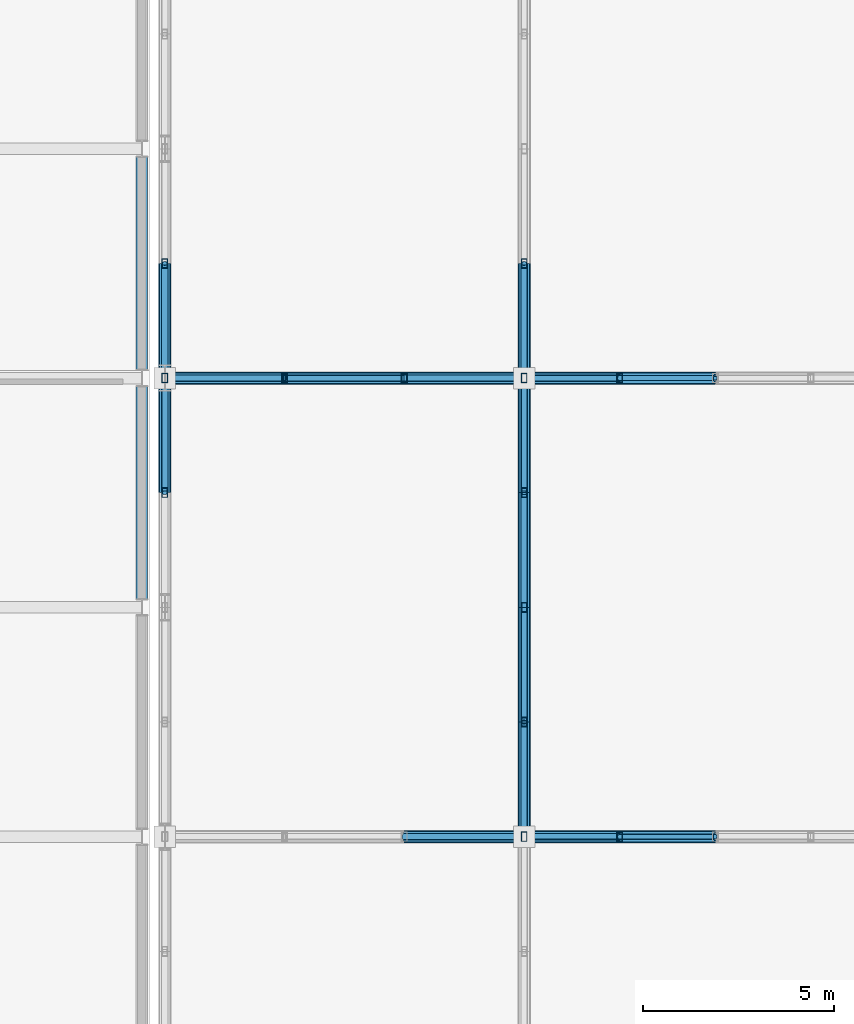
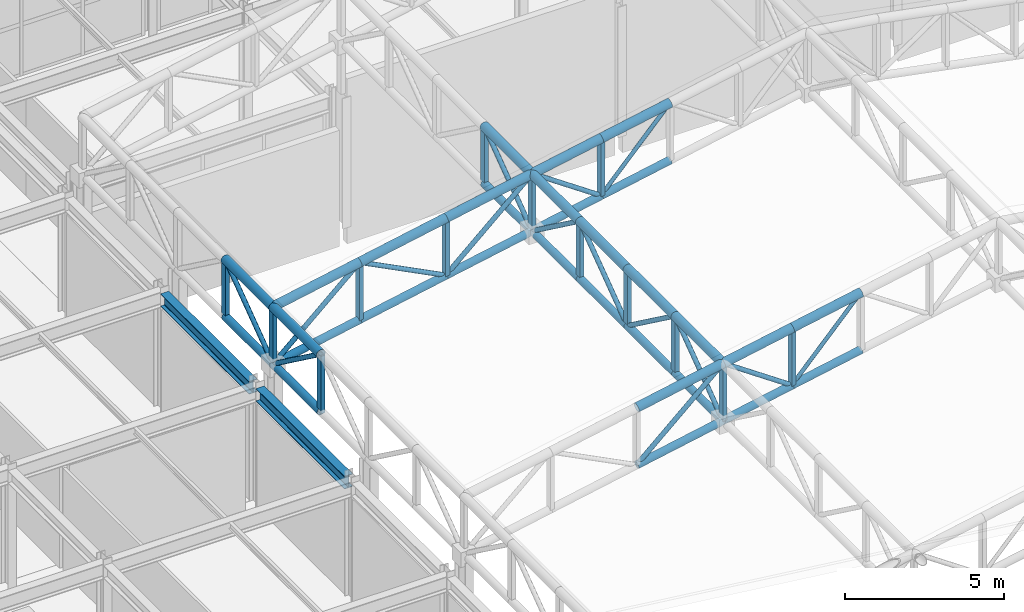
# One storey, part 59 of 112: 58 members, 2 beams.
"""IFC4 building model written with IfcOpenShell, lengths in metres."""

from ifc_helpers import new_model, si_unit, direction, frame, origin, origin_2d, place, context, subcontext, project, spatial, hollow_rectangle, hollow_circle, i_section, extrude, material, material_profile, profile_set, type_object, element, save


model = new_model("IFC4")

# Units and contexts
model_context = context("Model", 3, precision=1e-05, world=origin(), true_north=direction((0.0, 1.0)))
body_context = subcontext(model_context, "Body", "Model", "MODEL_VIEW")
ifc_project = project(units=[si_unit("LENGTHUNIT", "METRE"), si_unit("AREAUNIT", "SQUARE_METRE"), si_unit("VOLUMEUNIT", "CUBIC_METRE"), si_unit("PLANEANGLEUNIT", "RADIAN"), si_unit("MASSUNIT", "GRAM", prefix="KILO")], contexts=[model_context])

# Site, building, storey
site_placement = place(None, origin())
site = spatial("IfcSite", under=ifc_project, at=site_placement, CompositionType="ELEMENT")
building_placement = place(site_placement, origin())
building = spatial("IfcBuilding", under=site, at=building_placement, Name="Kaldris Quays Convention Centre", CompositionType="ELEMENT")
storey_placement = place(building_placement, frame((0.0, 0.0, 16.800048828125)))
storey = spatial("IfcBuildingStorey", under=building, at=storey_placement, Name="L03", CompositionType="ELEMENT", Elevation=16.800048828125)

# Beams
ifc_material_1 = material(Name="Steel S355J2", Category="steel")
ifc_material_profile_1 = material_profile(ifc_material_1, i_section(OverallWidth=0.300048828125, OverallDepth=0.489990234375, WebThickness=0.011962890625, FlangeThickness=0.02294921875, FilletRadius=0.027099609375, at=origin_2d()), Name="HEA 500")
ifc_profile_set_1 = profile_set([ifc_material_profile_1], Name="Steel S355J2")
beam_type = type_object("IfcBeamType", Name="STRUCTURAL BEAM BM09", PredefinedType="BEAM", material=ifc_profile_set_1)
for number, where, z_axis, x_axis, name in (
    (1, (164.0, 86.218994140625, 4.3349609375), (0.0, 1.0, 0.0), (-1.0, 0.0, 0.0), "L03 Girder BM09 97"),
    (2, (164.0, 92.218994140625, 4.3349609375), (0.0, 1.0, 0.0), (-1.0, 0.0, 0.0), "L03 Girder BM09 98"),
):
    element("IfcBeam", number, at=place(storey_placement, frame(where, z_axis=z_axis, x_axis=x_axis)), inside=storey, type_object=beam_type, Name=name, PredefinedType="BEAM", context=body_context, shape_type="SweptSolid", body=[
        extrude(i_section(OverallWidth=0.300048828125, OverallDepth=0.489990234375, WebThickness=0.011962890625, FlangeThickness=0.02294921875, FilletRadius=0.027099609375, at=origin_2d()), origin(), (0.0, 0.0, 1.0), 5.56201171875),
    ])

# Members
ifc_material_2 = material(Name="Steel S355J2H", Category="steel")
ifc_material_profile_2 = material_profile(ifc_material_2, hollow_circle(Radius=0.161865234375, WallThickness=0.01611328125, at=origin_2d()), Name="CHS 323.9x16")
ifc_profile_set_2 = profile_set([ifc_material_profile_2], Name="Steel S355J2H")
member_type_1 = type_object("IfcMemberType", Name="STRUCTURAL MEMBER SC03", PredefinedType="CHORD", material=ifc_profile_set_2)
member_1_placement = place(storey_placement, frame((170.86669921875, 80.0, 8.539306640625), z_axis=(0.981908086595, 0.0, 0.189358151342), x_axis=(0.0, 1.0, 0.0)))
element("IfcMember", 3, at=member_1_placement, inside=storey, type_object=member_type_1, Name="SF-V2 Top Chord X 33", PredefinedType="CHORD", context=body_context, shape_type="SweptSolid", body=[
    extrude(hollow_circle(Radius=0.161865234375, WallThickness=0.01611328125, at=origin_2d()), origin(), (0.0, 0.0, 1.0), 3.19091796875),
])
for number, where, z_axis, x_axis, name in (
    (4, (174.0, 80.0, 9.1435546875), (0.981903710383, 0.0, 0.189380842579), (0.0, 1.0, 0.0), "SF-V2 Top Chord X 34"),
    (5, (176.5, 80.0, 9.625732421875), (0.981885875429, 0.0, 0.189473290024), (0.0, 1.0, 0.0), "SF-V2 Top Chord X 35"),
):
    element("IfcMember", number, at=place(storey_placement, frame(where, z_axis=z_axis, x_axis=x_axis)), inside=storey, type_object=member_type_1, Name=name, PredefinedType="CHORD", context=body_context, shape_type="SweptSolid", body=[
        extrude(hollow_circle(Radius=0.161865234375, WallThickness=0.01611328125, at=origin_2d()), origin(), (0.0, 0.0, 1.0), 2.546142578125),
    ])
member_2_placement = place(storey_placement, frame((164.60009765625, 92.0, 7.33056640625), z_axis=(0.981908086595, 0.0, 0.189358151342), x_axis=(0.0, 1.0, 0.0)))
element("IfcMember", 6, at=member_2_placement, inside=storey, type_object=member_type_1, Name="SF-V2 Top Chord X 46", PredefinedType="CHORD", context=body_context, shape_type="SweptSolid", body=[
    extrude(hollow_circle(Radius=0.161865234375, WallThickness=0.01611328125, at=origin_2d()), origin(), (0.0, 0.0, 1.0), 3.19091796875),
])
member_3_placement = place(storey_placement, frame((167.7333984375, 92.0, 7.934814453125), z_axis=(0.981893858658, 0.0, 0.189431914761), x_axis=(0.0, 1.0, 0.0)))
element("IfcMember", 7, at=member_3_placement, inside=storey, type_object=member_type_1, Name="SF-V2 Top Chord X 47", PredefinedType="CHORD", context=body_context, shape_type="SweptSolid", body=[
    extrude(hollow_circle(Radius=0.161865234375, WallThickness=0.01611328125, at=origin_2d()), origin(), (0.0, 0.0, 1.0), 3.191162109375),
])
member_4_placement = place(storey_placement, frame((170.86669921875, 92.0, 8.539306640625), z_axis=(0.981908086595, 0.0, 0.189358151342), x_axis=(0.0, 1.0, 0.0)))
element("IfcMember", 8, at=member_4_placement, inside=storey, type_object=member_type_1, Name="SF-V2 Top Chord X 48", PredefinedType="CHORD", context=body_context, shape_type="SweptSolid", body=[
    extrude(hollow_circle(Radius=0.161865234375, WallThickness=0.01611328125, at=origin_2d()), origin(), (0.0, 0.0, 1.0), 3.19091796875),
])
for number, where, z_axis, x_axis, name in (
    (9, (174.0, 92.0, 9.1435546875), (0.981903710383, 0.0, 0.189380842579), (0.0, 1.0, 0.0), "SF-V2 Top Chord X 49"),
    (10, (176.5, 92.0, 9.625732421875), (0.981885875429, 0.0, 0.189473290024), (0.0, 1.0, 0.0), "SF-V2 Top Chord X 50"),
):
    element("IfcMember", number, at=place(storey_placement, frame(where, z_axis=z_axis, x_axis=x_axis)), inside=storey, type_object=member_type_1, Name=name, PredefinedType="CHORD", context=body_context, shape_type="SweptSolid", body=[
        extrude(hollow_circle(Radius=0.161865234375, WallThickness=0.01611328125, at=origin_2d()), origin(), (0.0, 0.0, 1.0), 2.546142578125),
    ])
for number, where, z_axis, x_axis, name in (
    (11, (164.60009765625, 89.0, 7.33056640625), (0.0, 1.0, 0.0), (-1.0, 0.0, 0.0), "SF-V2 Top Chord Y 87"),
    (12, (164.60009765625, 92.0, 7.33056640625), (0.0, 1.0, 0.0), (-1.0, 0.0, 0.0), "SF-V2 Top Chord Y 88"),
    (13, (174.0, 80.0, 9.1435546875), (0.0, 1.0, 0.0), (-1.0, 0.0, 0.0), "SF-V2 Top Chord Y 100"),
    (14, (174.0, 83.0, 9.1435546875), (0.0, 1.0, 0.0), (-1.0, 0.0, 0.0), "SF-V2 Top Chord Y 101"),
    (15, (174.0, 86.0, 9.1435546875), (0.0, 1.0, 0.0), (-1.0, 0.0, 0.0), "SF-V2 Top Chord Y 102"),
    (16, (174.0, 89.0, 9.1435546875), (0.0, 1.0, 0.0), (-1.0, 0.0, 0.0), "SF-V2 Top Chord Y 103"),
    (17, (174.0, 92.0, 9.1435546875), (0.0, 1.0, 0.0), (-1.0, 0.0, 0.0), "SF-V2 Top Chord Y 104"),
):
    element("IfcMember", number, at=place(storey_placement, frame(where, z_axis=z_axis, x_axis=x_axis)), inside=storey, type_object=member_type_1, Name=name, PredefinedType="CHORD", context=body_context, shape_type="SweptSolid", body=[
        extrude(hollow_circle(Radius=0.161865234375, WallThickness=0.01611328125, at=origin_2d()), origin(), (0.0, 0.0, 1.0), 3.0),
    ])
ifc_material_profile_3 = material_profile(ifc_material_2, hollow_circle(Radius=0.136474609375, WallThickness=0.012451171875, at=origin_2d()), Name="CHS 273x12.5")
ifc_profile_set_3 = profile_set([ifc_material_profile_3], Name="Steel S355J2H")
member_type_2 = type_object("IfcMemberType", Name="STRUCTURAL MEMBER SC04", PredefinedType="CHORD", material=ifc_profile_set_3)
member_5_placement = place(storey_placement, frame((170.86669921875, 80.0, 6.33935546875), z_axis=(0.981908086595, 0.0, 0.189358151342), x_axis=(0.0, 1.0, 0.0)))
element("IfcMember", 18, at=member_5_placement, inside=storey, type_object=member_type_2, Name="SF-V2 Bottom Chord X 33", PredefinedType="CHORD", context=body_context, shape_type="SweptSolid", body=[
    extrude(hollow_circle(Radius=0.136474609375, WallThickness=0.012451171875, at=origin_2d()), origin(), (0.0, 0.0, 1.0), 3.19091796875),
])
for number, where, z_axis, x_axis, name in (
    (19, (174.0, 80.0, 6.943603515625), (0.981903710383, 0.0, 0.189380842579), (0.0, 1.0, 0.0), "SF-V2 Bottom Chord X 34"),
    (20, (176.5, 80.0, 7.42578125), (0.981885875429, 0.0, 0.189473290024), (0.0, 1.0, 0.0), "SF-V2 Bottom Chord X 35"),
):
    element("IfcMember", number, at=place(storey_placement, frame(where, z_axis=z_axis, x_axis=x_axis)), inside=storey, type_object=member_type_2, Name=name, PredefinedType="CHORD", context=body_context, shape_type="SweptSolid", body=[
        extrude(hollow_circle(Radius=0.136474609375, WallThickness=0.012451171875, at=origin_2d()), origin(), (0.0, 0.0, 1.0), 2.546142578125),
    ])
for number, where, z_axis, x_axis, name in (
    (21, (164.60009765625, 92.0, 5.13037109375), (0.981893858658, 0.0, 0.189431914761), (0.0, 1.0, 0.0), "SF-V2 Bottom Chord X 46"),
    (22, (167.7333984375, 92.0, 5.73486328125), (0.981893858658, 0.0, 0.189431914761), (0.0, 1.0, 0.0), "SF-V2 Bottom Chord X 47"),
):
    element("IfcMember", number, at=place(storey_placement, frame(where, z_axis=z_axis, x_axis=x_axis)), inside=storey, type_object=member_type_2, Name=name, PredefinedType="CHORD", context=body_context, shape_type="SweptSolid", body=[
        extrude(hollow_circle(Radius=0.136474609375, WallThickness=0.012451171875, at=origin_2d()), origin(), (0.0, 0.0, 1.0), 3.191162109375),
    ])
member_6_placement = place(storey_placement, frame((170.86669921875, 92.0, 6.33935546875), z_axis=(0.981908086595, 0.0, 0.189358151342), x_axis=(0.0, 1.0, 0.0)))
element("IfcMember", 23, at=member_6_placement, inside=storey, type_object=member_type_2, Name="SF-V2 Bottom Chord X 48", PredefinedType="CHORD", context=body_context, shape_type="SweptSolid", body=[
    extrude(hollow_circle(Radius=0.136474609375, WallThickness=0.012451171875, at=origin_2d()), origin(), (0.0, 0.0, 1.0), 3.19091796875),
])
for number, where, z_axis, x_axis, name in (
    (24, (174.0, 92.0, 6.943603515625), (0.981903710383, 0.0, 0.189380842579), (0.0, 1.0, 0.0), "SF-V2 Bottom Chord X 49"),
    (25, (176.5, 92.0, 7.42578125), (0.981885875429, 0.0, 0.189473290024), (0.0, 1.0, 0.0), "SF-V2 Bottom Chord X 50"),
):
    element("IfcMember", number, at=place(storey_placement, frame(where, z_axis=z_axis, x_axis=x_axis)), inside=storey, type_object=member_type_2, Name=name, PredefinedType="CHORD", context=body_context, shape_type="SweptSolid", body=[
        extrude(hollow_circle(Radius=0.136474609375, WallThickness=0.012451171875, at=origin_2d()), origin(), (0.0, 0.0, 1.0), 2.546142578125),
    ])
for number, where, z_axis, x_axis, name in (
    (26, (164.60009765625, 89.0, 5.13037109375), (0.0, 1.0, 0.0), (-1.0, 0.0, 0.0), "SF-V2 Bottom Chord Y 87"),
    (27, (164.60009765625, 92.0, 5.13037109375), (0.0, 1.0, 0.0), (-1.0, 0.0, 0.0), "SF-V2 Bottom Chord Y 88"),
    (28, (174.0, 80.0, 6.943603515625), (0.0, 1.0, 0.0), (-1.0, 0.0, 0.0), "SF-V2 Bottom Chord Y 100"),
    (29, (174.0, 83.0, 6.943603515625), (0.0, 1.0, 0.0), (-1.0, 0.0, 0.0), "SF-V2 Bottom Chord Y 101"),
    (30, (174.0, 86.0, 6.943603515625), (0.0, 1.0, 0.0), (-1.0, 0.0, 0.0), "SF-V2 Bottom Chord Y 102"),
    (31, (174.0, 89.0, 6.943603515625), (0.0, 1.0, 0.0), (-1.0, 0.0, 0.0), "SF-V2 Bottom Chord Y 103"),
    (32, (174.0, 92.0, 6.943603515625), (0.0, 1.0, 0.0), (-1.0, 0.0, 0.0), "SF-V2 Bottom Chord Y 104"),
):
    element("IfcMember", number, at=place(storey_placement, frame(where, z_axis=z_axis, x_axis=x_axis)), inside=storey, type_object=member_type_2, Name=name, PredefinedType="CHORD", context=body_context, shape_type="SweptSolid", body=[
        extrude(hollow_circle(Radius=0.136474609375, WallThickness=0.012451171875, at=origin_2d()), origin(), (0.0, 0.0, 1.0), 3.0),
    ])
ifc_material_profile_4 = material_profile(ifc_material_2, hollow_circle(Radius=0.084228515625, WallThickness=0.008056640625, at=origin_2d()), Name="CHS 168.3x8")
ifc_profile_set_4 = profile_set([ifc_material_profile_4], Name="Steel S355J2H")
member_type_3 = type_object("IfcMemberType", Name="STRUCTURAL MEMBER SWB2", PredefinedType="BRACE", material=ifc_profile_set_4)
member_7_placement = place(storey_placement, frame((170.86669921875, 80.0, 6.33935546875), z_axis=(0.745156270272, 0.0, 0.666889895616), x_axis=(0.0, 1.0, 0.0)))
element("IfcMember", 33, at=member_7_placement, inside=storey, type_object=member_type_3, Name="SF-V2 Web Diagonal X 33", PredefinedType="BRACE", context=body_context, shape_type="SweptSolid", body=[
    extrude(hollow_circle(Radius=0.084228515625, WallThickness=0.008056640625, at=origin_2d()), origin(), (0.0, 0.0, 1.0), 4.204833984375),
])
member_8_placement = place(storey_placement, frame((176.5, 80.0, 7.42578125), z_axis=(-0.8241921955, 0.0, 0.56631018433), x_axis=(0.0, -1.0, 0.0)))
element("IfcMember", 34, at=member_8_placement, inside=storey, type_object=member_type_3, Name="SF-V2 Web Diagonal X 34", PredefinedType="BRACE", context=body_context, shape_type="SweptSolid", body=[
    extrude(hollow_circle(Radius=0.084228515625, WallThickness=0.008056640625, at=origin_2d()), origin(), (0.0, 0.0, 1.0), 3.033203125),
])
member_9_placement = place(storey_placement, frame((164.60009765625, 92.0, 5.13037109375), z_axis=(0.745127417967, 0.0, 0.666922132631), x_axis=(0.0, 1.0, 0.0)))
element("IfcMember", 35, at=member_9_placement, inside=storey, type_object=member_type_3, Name="SF-V2 Web Diagonal X 46", PredefinedType="BRACE", context=body_context, shape_type="SweptSolid", body=[
    extrude(hollow_circle(Radius=0.084228515625, WallThickness=0.008056640625, at=origin_2d()), origin(), (0.0, 0.0, 1.0), 4.205078125),
])
member_10_placement = place(storey_placement, frame((170.86669921875, 92.0, 6.33935546875), z_axis=(-0.891125852246, 0.0, 0.453756229112), x_axis=(0.0, -1.0, 0.0)))
element("IfcMember", 36, at=member_10_placement, inside=storey, type_object=member_type_3, Name="SF-V2 Web Diagonal X 47", PredefinedType="BRACE", context=body_context, shape_type="SweptSolid", body=[
    extrude(hollow_circle(Radius=0.084228515625, WallThickness=0.008056640625, at=origin_2d()), origin(), (0.0, 0.0, 1.0), 3.51611328125),
])
member_11_placement = place(storey_placement, frame((170.86669921875, 92.0, 6.33935546875), z_axis=(0.745156270272, 0.0, 0.666889895616), x_axis=(0.0, 1.0, 0.0)))
element("IfcMember", 37, at=member_11_placement, inside=storey, type_object=member_type_3, Name="SF-V2 Web Diagonal X 48", PredefinedType="BRACE", context=body_context, shape_type="SweptSolid", body=[
    extrude(hollow_circle(Radius=0.084228515625, WallThickness=0.008056640625, at=origin_2d()), origin(), (0.0, 0.0, 1.0), 4.204833984375),
])
member_12_placement = place(storey_placement, frame((176.5, 92.0, 7.42578125), z_axis=(-0.8241921955, 0.0, 0.56631018433), x_axis=(0.0, -1.0, 0.0)))
element("IfcMember", 38, at=member_12_placement, inside=storey, type_object=member_type_3, Name="SF-V2 Web Diagonal X 49", PredefinedType="BRACE", context=body_context, shape_type="SweptSolid", body=[
    extrude(hollow_circle(Radius=0.084228515625, WallThickness=0.008056640625, at=origin_2d()), origin(), (0.0, 0.0, 1.0), 3.033203125),
])
for number, where, z_axis, x_axis, name in (
    (39, (164.60009765625, 92.0, 5.13037109375), (0.0, -0.806379959628, 0.591397802423), (1.0, 0.0, 0.0), "SF-V2 Web Diagonal Y 87"),
    (40, (164.60009765625, 92.0, 5.13037109375), (0.0, 0.806379959628, 0.591397802423), (-1.0, 0.0, 0.0), "SF-V2 Web Diagonal Y 88"),
    (41, (174.0, 80.0, 6.943603515625), (0.0, 0.80641125493, 0.591355128432), (-1.0, 0.0, 0.0), "SF-V2 Web Diagonal Y 100"),
    (42, (174.0, 86.0, 6.943603515625), (0.0, -0.80641125493, 0.591355128432), (1.0, 0.0, 0.0), "SF-V2 Web Diagonal Y 101"),
    (43, (174.0, 86.0, 6.943603515625), (0.0, 0.80641125493, 0.591355128432), (-1.0, 0.0, 0.0), "SF-V2 Web Diagonal Y 102"),
    (44, (174.0, 92.0, 6.943603515625), (0.0, -0.80641125493, 0.591355128432), (1.0, 0.0, 0.0), "SF-V2 Web Diagonal Y 103"),
    (45, (174.0, 92.0, 6.943603515625), (0.0, 0.80641125493, 0.591355128432), (-1.0, 0.0, 0.0), "SF-V2 Web Diagonal Y 104"),
):
    element("IfcMember", number, at=place(storey_placement, frame(where, z_axis=z_axis, x_axis=x_axis)), inside=storey, type_object=member_type_3, Name=name, PredefinedType="BRACE", context=body_context, shape_type="SweptSolid", body=[
        extrude(hollow_circle(Radius=0.084228515625, WallThickness=0.008056640625, at=origin_2d()), origin(), (0.0, 0.0, 1.0), 3.72021484375),
    ])
ifc_material_profile_5 = material_profile(ifc_material_2, hollow_circle(Radius=0.06982421875, WallThickness=0.00634765625, at=origin_2d()), Name="CHS 139.7x6.3")
ifc_profile_set_5 = profile_set([ifc_material_profile_5], Name="Steel S355J2H")
member_type_4 = type_object("IfcMemberType", Name="STRUCTURAL MEMBER SWB4", PredefinedType="BRACE", material=ifc_profile_set_5)
for number, where, z_axis, x_axis, name in (
    (46, (176.5, 80.0, 7.42578125), (0.681800921589, 0.0, 0.731537766162), (0.0, 1.0, 0.0), "SF-V2 Web Diagonal X 35"),
    (47, (176.5, 92.0, 7.42578125), (0.681800921589, 0.0, 0.731537766162), (0.0, 1.0, 0.0), "SF-V2 Web Diagonal X 50"),
):
    element("IfcMember", number, at=place(storey_placement, frame(where, z_axis=z_axis, x_axis=x_axis)), inside=storey, type_object=member_type_4, Name=name, PredefinedType="BRACE", context=body_context, shape_type="SweptSolid", body=[
        extrude(hollow_circle(Radius=0.06982421875, WallThickness=0.00634765625, at=origin_2d()), origin(), (0.0, 0.0, 1.0), 3.666748046875),
    ])
ifc_material_profile_6 = material_profile(ifc_material_2, hollow_rectangle(XDim=0.14990234375, YDim=0.25, WallThickness=0.010009765625, at=origin_2d()), Name="RHS 250x150x10")
ifc_profile_set_6 = profile_set([ifc_material_profile_6], Name="Steel S355J2H")
member_type_5 = type_object("IfcMemberType", Name="STRUCTURAL MEMBER TTV1", PredefinedType="POST", material=ifc_profile_set_6)
member_13_placement = place(storey_placement, frame((164.60009765625, 89.0, 5.13037109375), z_axis=(0.0, 0.0, 1.0), x_axis=(1.0, 0.0, 0.0)))
element("IfcMember", 48, at=member_13_placement, inside=storey, type_object=member_type_5, Name="SF-V2 Space-Frame Post 12", PredefinedType="POST", context=body_context, shape_type="SweptSolid", body=[
    extrude(hollow_rectangle(XDim=0.14990234375, YDim=0.25, WallThickness=0.010009765625, at=origin_2d()), origin(), (0.0, 0.0, 1.0), 2.2001953125),
])
member_14_placement = place(storey_placement, frame((164.60009765625, 92.0, 4.993896484375), z_axis=(0.0, 0.0, 1.0), x_axis=(1.0, 0.0, 0.0)))
element("IfcMember", 49, at=member_14_placement, inside=storey, type_object=member_type_5, Name="SF-V2 Space-Frame Post 13", PredefinedType="POST", context=body_context, shape_type="SweptSolid", body=[
    extrude(hollow_rectangle(XDim=0.14990234375, YDim=0.25, WallThickness=0.010009765625, at=origin_2d()), origin(), (0.0, 0.0, 1.0), 2.336669921875),
])
member_15_placement = place(storey_placement, frame((164.60009765625, 95.0, 5.13037109375), z_axis=(0.0, 0.0, 1.0), x_axis=(1.0, 0.0, 0.0)))
element("IfcMember", 50, at=member_15_placement, inside=storey, type_object=member_type_5, Name="SF-V2 Space-Frame Post 14", PredefinedType="POST", context=body_context, shape_type="SweptSolid", body=[
    extrude(hollow_rectangle(XDim=0.14990234375, YDim=0.25, WallThickness=0.010009765625, at=origin_2d()), origin(), (0.0, 0.0, 1.0), 2.2001953125),
])
for number, where, z_axis, x_axis, name in (
    (51, (167.73291015625, 92.0, 5.73486328125), (0.0, 0.0, 1.0), (1.0, 0.0, 0.0), "SF-V2 Space-Frame Post 21"),
    (52, (170.866943359375, 92.0, 6.33935546875), (0.0, 0.0, 1.0), (1.0, 0.0, 0.0), "SF-V2 Space-Frame Post 26"),
    (53, (174.0, 80.0, 6.943603515625), (0.0, 0.0, 1.0), (1.0, 0.0, 0.0), "SF-V2 Space-Frame Post 36"),
    (54, (174.0, 83.0, 6.943603515625), (0.0, 0.0, 1.0), (1.0, 0.0, 0.0), "SF-V2 Space-Frame Post 37"),
    (55, (174.0, 86.0, 6.943603515625), (0.0, 0.0, 1.0), (1.0, 0.0, 0.0), "SF-V2 Space-Frame Post 38"),
    (56, (174.0, 89.0, 6.943603515625), (0.0, 0.0, 1.0), (1.0, 0.0, 0.0), "SF-V2 Space-Frame Post 39"),
    (57, (174.0, 92.0, 6.943603515625), (0.0, 0.0, 1.0), (1.0, 0.0, 0.0), "SF-V2 Space-Frame Post 40"),
    (58, (174.0, 95.0, 6.943603515625), (0.0, 0.0, 1.0), (1.0, 0.0, 0.0), "SF-V2 Space-Frame Post 41"),
    (59, (176.5, 80.0, 7.42578125), (0.0, 0.0, 1.0), (1.0, 0.0, 0.0), "SF-V2 Space-Frame Post 47"),
    (60, (176.5, 92.0, 7.42578125), (0.0, 0.0, 1.0), (1.0, 0.0, 0.0), "SF-V2 Space-Frame Post 48"),
):
    element("IfcMember", number, at=place(storey_placement, frame(where, z_axis=z_axis, x_axis=x_axis)), inside=storey, type_object=member_type_5, Name=name, PredefinedType="POST", context=body_context, shape_type="SweptSolid", body=[
        extrude(hollow_rectangle(XDim=0.14990234375, YDim=0.25, WallThickness=0.010009765625, at=origin_2d()), origin(), (0.0, 0.0, 1.0), 2.199951171875),
    ])

save(model, "model.ifc")
